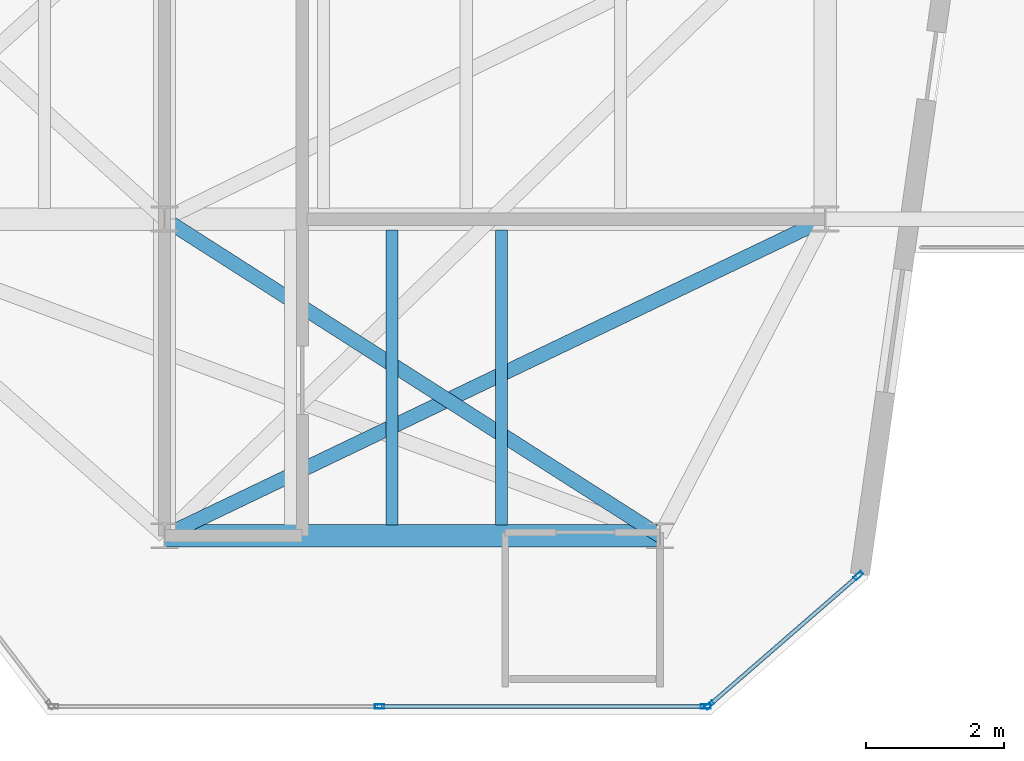
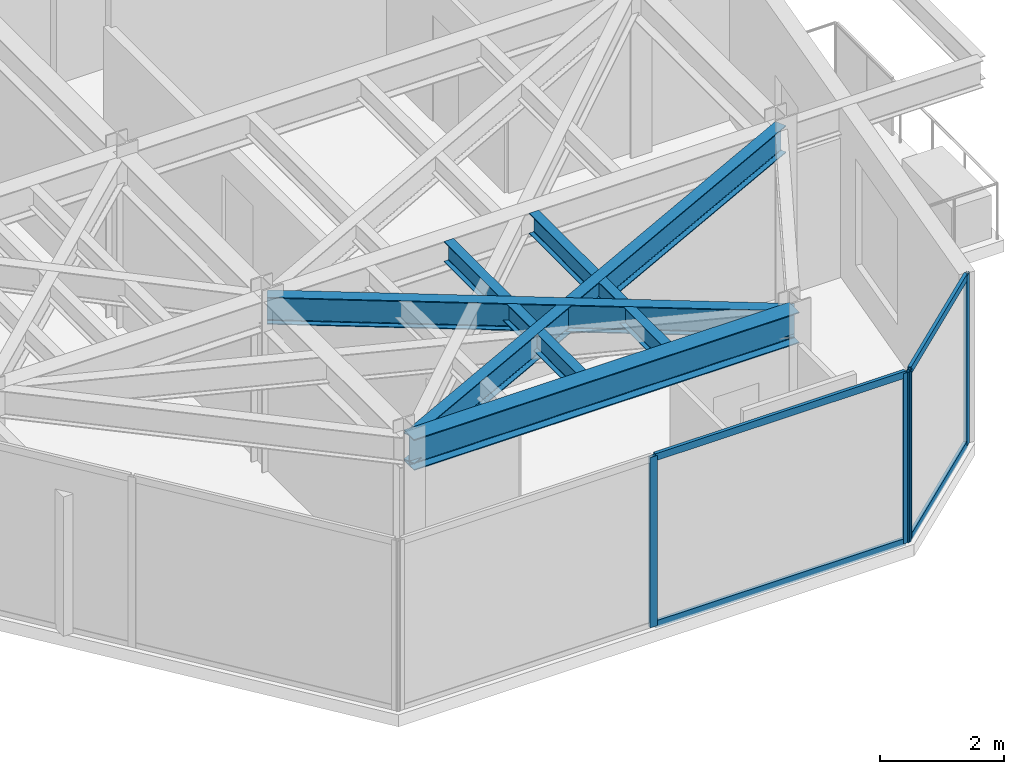
# One storey, part 9 of 16: 8 members, 5 beams, 2 elements without a shape of their own.
"""IFC4 building model written with IfcOpenShell, lengths in metres."""

from ifc_helpers import new_model, si_unit, direction, frame, origin, origin_2d, place, context, subcontext, project, spatial, hollow_rectangle, i_section, extrude, material, layer, layer_set, material_profile, profile_set, type_object, element, aggregate, save


model = new_model("IFC4")

# Units and contexts
model_context = context("Model", 3, precision=1e-05, world=origin(), true_north=direction((0.0, 1.0)))
body_context = subcontext(model_context, "Body", "Model", "MODEL_VIEW")
ifc_project = project(units=[si_unit("LENGTHUNIT", "METRE"), si_unit("AREAUNIT", "SQUARE_METRE"), si_unit("VOLUMEUNIT", "CUBIC_METRE"), si_unit("PLANEANGLEUNIT", "RADIAN"), si_unit("MASSUNIT", "GRAM", prefix="KILO")], contexts=[model_context])

# Site, building, storey
site_placement = place(None, origin())
site = spatial("IfcSite", under=ifc_project, at=site_placement, CompositionType="ELEMENT")
building_placement = place(site_placement, origin())
building = spatial("IfcBuilding", under=site, at=building_placement, Name="Kravanh Interchange Tower", CompositionType="ELEMENT")
storey_placement = place(building_placement, frame((0.0, 0.0, 300.300048828125)))
storey = spatial("IfcBuildingStorey", under=building, at=storey_placement, Name="L74", CompositionType="ELEMENT", Elevation=300.300048828125)

# Curtain wall, members
ifc_material_1 = material(Name="Anodised Bronze Aluminium", Category="aluminium")
ifc_layer = layer(ifc_material_1, 0.179931640625)
ifc_layer_set = layer_set([ifc_layer], Name="Unitised Curtain Wall System CW-HTL Luxury Hotel")
curtain_wall_type = type_object("IfcCurtainWallType", Name="Unitised Curtain Wall System CW-HTL Luxury Hotel", PredefinedType="NOTDEFINED", material=ifc_layer_set)
curtain_wall_1_placement = place(storey_placement, origin())
curtain_wall_1 = element("IfcCurtainWall", 1, at=curtain_wall_1_placement, inside=storey, type_object=curtain_wall_type, Name="L74 Unitised Curtain Wall CW-L74-02", PredefinedType="NOTDEFINED")
ifc_material_2 = material(Name="Anodised Bronze Aluminium", Category="aluminium")
ifc_material_profile_1 = material_profile(ifc_material_2, hollow_rectangle(XDim=0.06005859375, YDim=0.139892578125, WallThickness=0.00390625, at=origin_2d()), Name="ALU60X140X4")
ifc_profile_set_1 = profile_set([ifc_material_profile_1], Name="Anodised Bronze Aluminium")
member_type_1 = type_object("IfcMemberType", Name="Curtain Wall Mullion ALU60X140X4 Bronze", PredefinedType="MULLION", material=ifc_profile_set_1)
member_1_placement = place(storey_placement, frame((66.08154296875, 21.621826171875, 0.0), z_axis=(0.0, 0.0, 1.0), x_axis=(0.656050227106, -0.754717231494, 0.0)))
member_1 = element("IfcMember", 2, at=member_1_placement, type_object=member_type_1, Name="CW-HTL mullion 1", PredefinedType="MULLION", context=body_context, shape_type="SweptSolid", body=[
    extrude(hollow_rectangle(XDim=0.06005859375, YDim=0.139892578125, WallThickness=0.00390625, at=origin_2d()), origin(), (0.0, 0.0, 1.0), 3.364990234375),
])
member_2_placement = place(storey_placement, frame((63.916259765625, 19.73974609375, 0.0), z_axis=(0.0, 0.0, 1.0), x_axis=(0.656050227106, -0.754717231494, 0.0)))
member_2 = element("IfcMember", 3, at=member_2_placement, type_object=member_type_1, Name="CW-HTL mullion 2", PredefinedType="MULLION", context=body_context, shape_type="SweptSolid", body=[
    extrude(hollow_rectangle(XDim=0.06005859375, YDim=0.139892578125, WallThickness=0.00390625, at=origin_2d()), origin(), (0.0, 0.0, 1.0), 3.364990234375),
])

curtain_wall_2_placement = place(storey_placement, origin())
curtain_wall_2 = element("IfcCurtainWall", 4, at=curtain_wall_2_placement, inside=storey, type_object=curtain_wall_type, Name="L74 Unitised Curtain Wall CW-L74-03", PredefinedType="NOTDEFINED")
member_3_placement = place(storey_placement, frame((63.863525390625, 19.719970703125, 0.0), z_axis=(0.0, 0.0, 1.0), x_axis=(0.0, -1.0, 0.0)))
member_3 = element("IfcMember", 5, at=member_3_placement, type_object=member_type_1, Name="CW-HTL mullion 1", PredefinedType="MULLION", context=body_context, shape_type="SweptSolid", body=[
    extrude(hollow_rectangle(XDim=0.06005859375, YDim=0.139892578125, WallThickness=0.00390625, at=origin_2d()), origin(), (0.0, 0.0, 1.0), 3.364990234375),
])
member_4_placement = place(storey_placement, frame((59.12646484375, 19.719970703125, 0.0), z_axis=(0.0, 0.0, 1.0), x_axis=(0.0, -1.0, 0.0)))
member_4 = element("IfcMember", 6, at=member_4_placement, type_object=member_type_1, Name="CW-HTL mullion 2", PredefinedType="MULLION", context=body_context, shape_type="SweptSolid", body=[
    extrude(hollow_rectangle(XDim=0.06005859375, YDim=0.139892578125, WallThickness=0.00390625, at=origin_2d()), origin(), (0.0, 0.0, 1.0), 3.364990234375),
])

# Member
ifc_material_3 = material(Name="Anodised Bronze Aluminium", Category="aluminium")
ifc_material_profile_2 = material_profile(ifc_material_3, hollow_rectangle(XDim=0.06005859375, YDim=0.139892578125, WallThickness=0.00390625, at=origin_2d()), Name="ALU60X140X4")
ifc_profile_set_2 = profile_set([ifc_material_profile_2], Name="Anodised Bronze Aluminium")
member_type_2 = type_object("IfcMemberType", Name="Curtain Wall Transom ALU60X140X4 Bronze", PredefinedType="USERDEFINED", material=ifc_profile_set_2)
member_5_placement = place(storey_placement, frame((66.058837890625, 21.602294921875, 0.030029296875), z_axis=(-0.754704676026, -0.656064670581, 0.0), x_axis=(0.656064670581, -0.754704676026, 0.0)))
member_5 = element("IfcMember", 7, at=member_5_placement, type_object=member_type_2, Name="CW-HTL transom 1.1", ObjectType="TRANSOM", PredefinedType="USERDEFINED", context=body_context, shape_type="SweptSolid", body=[
    extrude(hollow_rectangle(XDim=0.06005859375, YDim=0.139892578125, WallThickness=0.00390625, at=origin_2d()), origin(), (0.0, 0.0, 1.0), 2.80908203125),
])

member_6_placement = place(storey_placement, frame((66.058837890625, 21.602294921875, 3.3349609375), z_axis=(-0.754704676026, -0.656064670581, 0.0), x_axis=(0.656064670581, -0.754704676026, 0.0)))
member_6 = element("IfcMember", 8, at=member_6_placement, type_object=member_type_2, Name="CW-HTL transom 1.2", ObjectType="TRANSOM", PredefinedType="USERDEFINED", context=body_context, shape_type="SweptSolid", body=[
    extrude(hollow_rectangle(XDim=0.06005859375, YDim=0.139892578125, WallThickness=0.00390625, at=origin_2d()), origin(), (0.0, 0.0, 1.0), 2.80908203125),
])

aggregate(curtain_wall_1, [member_1, member_2, member_5, member_6])

member_7_placement = place(storey_placement, frame((63.83349609375, 19.719970703125, 0.030029296875), z_axis=(-1.0, 0.0, 0.0), x_axis=(0.0, -1.0, 0.0)))
member_7 = element("IfcMember", 9, at=member_7_placement, type_object=member_type_2, Name="CW-HTL transom 1.1", ObjectType="TRANSOM", PredefinedType="USERDEFINED", context=body_context, shape_type="SweptSolid", body=[
    extrude(hollow_rectangle(XDim=0.06005859375, YDim=0.139892578125, WallThickness=0.00390625, at=origin_2d()), origin(), (0.0, 0.0, 1.0), 4.677001953125),
])

member_8_placement = place(storey_placement, frame((63.83349609375, 19.719970703125, 3.3349609375), z_axis=(-1.0, 0.0, 0.0), x_axis=(0.0, -1.0, 0.0)))
member_8 = element("IfcMember", 10, at=member_8_placement, type_object=member_type_2, Name="CW-HTL transom 1.2", ObjectType="TRANSOM", PredefinedType="USERDEFINED", context=body_context, shape_type="SweptSolid", body=[
    extrude(hollow_rectangle(XDim=0.06005859375, YDim=0.139892578125, WallThickness=0.00390625, at=origin_2d()), origin(), (0.0, 0.0, 1.0), 4.677001953125),
])

aggregate(curtain_wall_2, [member_3, member_4, member_7, member_8])

# Beams
ifc_material_4 = material(Name="Structural Steel S355", Category="steel")
ifc_material_profile_3 = material_profile(ifc_material_4, i_section(OverallWidth=0.323974609375, OverallDepth=0.611083984375, WebThickness=0.0126953125, FlangeThickness=0.01904296875, FilletRadius=0.02197265625, at=origin_2d()), Name="W24X104")
ifc_profile_set_3 = profile_set([ifc_material_profile_3], Name="Structural Steel S355")
beam_type_1 = type_object("IfcBeamType", Name="Floor Beam W24X104 Structural Steel S355", PredefinedType="BEAM", material=ifc_profile_set_3)
beam_1_placement = place(storey_placement, frame((56.0, 22.199951171875, 3.0595703125), z_axis=(1.0, 0.0, 0.0), x_axis=(0.0, 1.0, 0.0)))
element("IfcBeam", 11, at=beam_1_placement, inside=storey, type_object=beam_type_1, Name="L74 Primary Floor Girder 27", PredefinedType="BEAM", context=body_context, shape_type="SweptSolid", body=[
    extrude(i_section(OverallWidth=0.323974609375, OverallDepth=0.611083984375, WebThickness=0.0126953125, FlangeThickness=0.01904296875, FilletRadius=0.02197265625, at=origin_2d()), origin(), (0.0, 0.0, 1.0), 7.199951171875),
])
ifc_material_5 = material(Name="Structural Steel S355", Category="steel")
ifc_material_profile_4 = material_profile(ifc_material_5, i_section(OverallWidth=0.177978515625, OverallDepth=0.406005859375, WebThickness=0.0078125, FlangeThickness=0.0126953125, FilletRadius=0.01611328125, at=origin_2d()), Name="W16X40")
ifc_profile_set_4 = profile_set([ifc_material_profile_4], Name="Structural Steel S355")
beam_type_2 = type_object("IfcBeamType", Name="Floor Joist W16X40 Structural Steel S355", PredefinedType="JOIST", material=ifc_profile_set_4)
for number, where, z_axis, x_axis, name in (
    (12, (59.304931640625, 22.35693359375, 3.161865234375), (0.0, 1.0, 0.0), (-1.0, 0.0, 0.0), "L74 Secondary Floor Joist 2"),
    (13, (60.89794921875, 22.35693359375, 3.161865234375), (0.0, 1.0, 0.0), (-1.0, 0.0, 0.0), "L74 Secondary Floor Joist 3"),
):
    element("IfcBeam", number, at=place(storey_placement, frame(where, z_axis=z_axis, x_axis=x_axis)), inside=storey, type_object=beam_type_2, Name=name, PredefinedType="JOIST", context=body_context, shape_type="SweptSolid", body=[
        extrude(i_section(OverallWidth=0.177978515625, OverallDepth=0.406005859375, WebThickness=0.0078125, FlangeThickness=0.0126953125, FilletRadius=0.01611328125, at=origin_2d()), origin(), (0.0, 0.0, 1.0), 4.2861328125),
    ])
ifc_material_6 = material(Name="Structural Steel S355", Category="steel")
ifc_material_profile_5 = material_profile(ifc_material_6, i_section(OverallWidth=0.2099609375, OverallDepth=0.537109375, WebThickness=0.010986328125, FlangeThickness=0.017333984375, FilletRadius=0.02001953125, at=origin_2d()), Name="W21X68")
ifc_profile_set_5 = profile_set([ifc_material_profile_5], Name="Structural Steel S355")
beam_type_3 = type_object("IfcBeamType", Name="Floor Spandrel W21X68 Structural Steel S355", PredefinedType="SPANDREL", material=ifc_profile_set_5)
beam_2_placement = place(storey_placement, frame((56.0, 26.800048828125, 3.096435546875), z_axis=(0.842689417531, -0.53839998661, 0.0), x_axis=(0.53839998661, 0.842689417531, 0.0)))
element("IfcBeam", 14, at=beam_2_placement, inside=storey, type_object=beam_type_3, Name="L74 Perimeter Spandrel 23", PredefinedType="SPANDREL", context=body_context, shape_type="SweptSolid", body=[
    extrude(i_section(OverallWidth=0.2099609375, OverallDepth=0.537109375, WebThickness=0.010986328125, FlangeThickness=0.017333984375, FilletRadius=0.02001953125, at=origin_2d()), origin(), (0.0, 0.0, 1.0), 8.5439453125),
])
beam_3_placement = place(storey_placement, frame((65.60009765625, 26.800048828125, 3.096435546875), z_axis=(-0.901814166789, -0.432124066188, 0.0), x_axis=(0.432124066188, -0.901814166789, 0.0)))
element("IfcBeam", 15, at=beam_3_placement, inside=storey, type_object=beam_type_3, Name="L74 Perimeter Spandrel 26", PredefinedType="SPANDREL", context=body_context, shape_type="SweptSolid", body=[
    extrude(i_section(OverallWidth=0.2099609375, OverallDepth=0.537109375, WebThickness=0.010986328125, FlangeThickness=0.017333984375, FilletRadius=0.02001953125, at=origin_2d()), origin(), (0.0, 0.0, 1.0), 10.645263671875),
])

save(model, "model.ifc")
